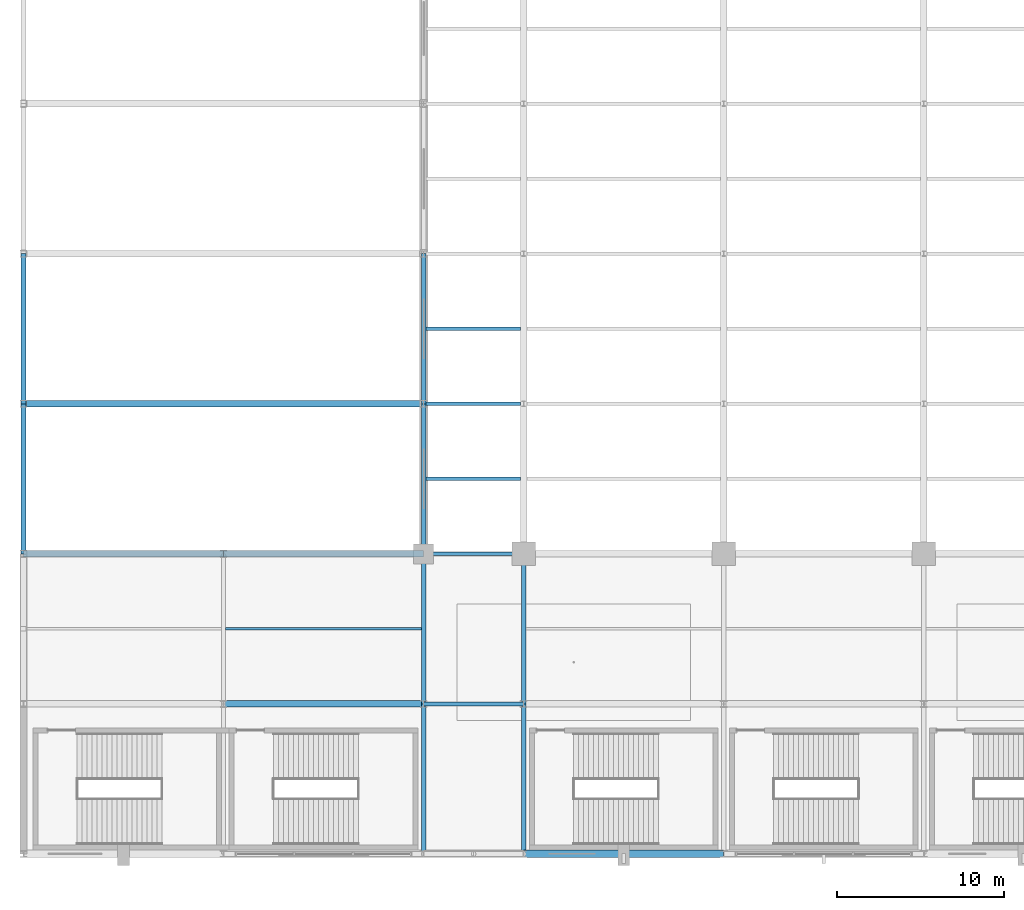
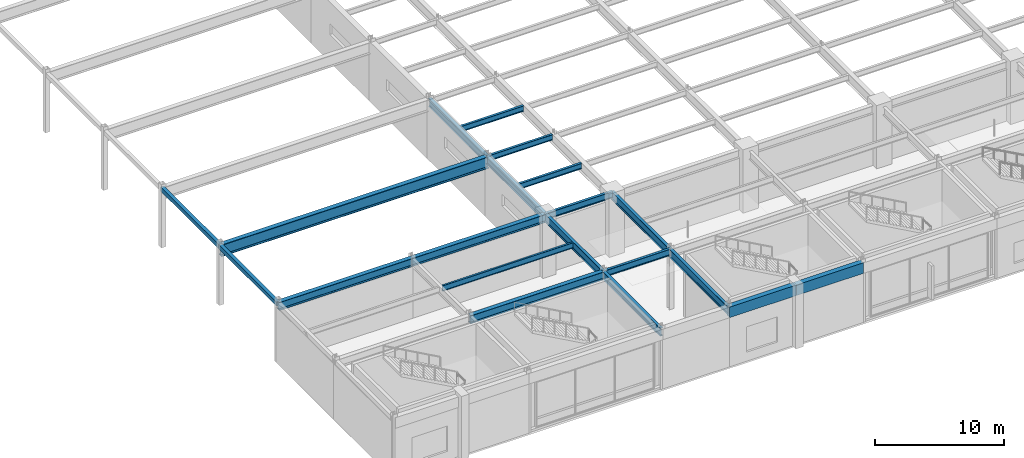
# One storey, part 17 of 105: 20 beams.
"""IFC4 building model written with IfcOpenShell, lengths in metres."""

from ifc_helpers import new_model, si_unit, direction, frame, origin, origin_2d, place, context, subcontext, project, spatial, rectangle, hollow_rectangle, i_section, extrude, material, material_profile, profile_set, type_object, element, save


model = new_model("IFC4")

# Units and contexts
model_context = context("Model", 3, precision=1e-05, world=origin(), true_north=direction((0.0, 1.0)))
body_context = subcontext(model_context, "Body", "Model", "MODEL_VIEW")
ifc_project = project(units=[si_unit("LENGTHUNIT", "METRE"), si_unit("AREAUNIT", "SQUARE_METRE"), si_unit("VOLUMEUNIT", "CUBIC_METRE"), si_unit("PLANEANGLEUNIT", "RADIAN"), si_unit("MASSUNIT", "GRAM", prefix="KILO")], contexts=[model_context])

# Site, building, storey
site_placement = place(None, origin())
site = spatial("IfcSite", under=ifc_project, at=site_placement, CompositionType="ELEMENT")
building_placement = place(site_placement, origin())
building = spatial("IfcBuilding", under=site, at=building_placement, Name="Kaldorvane Square Convention Centre", CompositionType="ELEMENT")
storey_placement = place(building_placement, frame((0.0, 0.0, 6.0)))
storey = spatial("IfcBuildingStorey", under=building, at=storey_placement, Name="L01", CompositionType="ELEMENT", Elevation=6.0)

# Beams
ifc_material_1 = material(Name="Steel ASTM A992 Gr. 50", Category="steel")
ifc_material_profile_1 = material_profile(ifc_material_1, i_section(OverallWidth=0.2303009033203125, OverallDepth=0.61749267578125, WebThickness=0.0131072998046875, FlangeThickness=0.0222015380859375, FilletRadius=0.0126953125, at=origin_2d()), Name="W24X94")
ifc_profile_set_1 = profile_set([ifc_material_profile_1], Name="Steel ASTM A992 Gr. 50")
beam_type_1 = type_object("IfcBeamType", Name="BM-GR-W24X94", PredefinedType="BEAM", material=ifc_profile_set_1)
for number, where, z_axis, x_axis, name in (
    (1, (24.0, 9.0, 5.3672943115234375), (1.0, 0.0, 0.0), (0.0, 1.0, 0.0), "Primary Girder (L01)"),
    (2, (24.0, 18.0, 5.3672943115234375), (1.0, 0.0, 0.0), (0.0, 1.0, 0.0), "Primary Girder (L01)"),
):
    element("IfcBeam", number, at=place(storey_placement, frame(where, z_axis=z_axis, x_axis=x_axis)), inside=storey, type_object=beam_type_1, Name=name, PredefinedType="BEAM", context=body_context, shape_type="SweptSolid", body=[
        extrude(i_section(OverallWidth=0.2303009033203125, OverallDepth=0.61749267578125, WebThickness=0.0131072998046875, FlangeThickness=0.0222015380859375, FilletRadius=0.0126953125, at=origin_2d()), origin(), (0.0, 0.0, 1.0), 6.0),
    ])
ifc_material_profile_2 = material_profile(ifc_material_1, i_section(OverallWidth=0.2666015625, OverallDepth=0.762298583984375, WebThickness=0.014404296875, FlangeThickness=0.0216064453125, FilletRadius=0.0164947509765625, at=origin_2d()), Name="W30X116")
ifc_profile_set_2 = profile_set([ifc_material_profile_2], Name="Steel ASTM A992 Gr. 50")
beam_type_2 = type_object("IfcBeamType", Name="BM-GR-W30X116", PredefinedType="BEAM", material=ifc_profile_set_2)
for number, where, z_axis, x_axis, name in (
    (3, (24.0, 0.0, 5.2949066162109375), (0.0, 1.0, 0.0), (-1.0, 0.0, 0.0), "Transverse Girder (L01)"),
    (4, (24.0, 9.0, 5.2949066162109375), (0.0, 1.0, 0.0), (-1.0, 0.0, 0.0), "Transverse Girder (L01)"),
    (5, (24.0, 18.0, 5.2949066162109375), (0.0, 1.0, 0.0), (-1.0, 0.0, 0.0), "Transverse Girder (L01)"),
    (6, (24.0, 27.0, 5.2949066162109375), (0.0, 1.0, 0.0), (-1.0, 0.0, 0.0), "Transverse Girder (L01)"),
    (7, (30.0, 0.0, 5.2949066162109375), (0.0, 1.0, 0.0), (-1.0, 0.0, 0.0), "Transverse Girder (L01)"),
    (8, (30.0, 9.0, 5.2949066162109375), (0.0, 1.0, 0.0), (-1.0, 0.0, 0.0), "Transverse Girder (L01)"),
):
    element("IfcBeam", number, at=place(storey_placement, frame(where, z_axis=z_axis, x_axis=x_axis)), inside=storey, type_object=beam_type_2, Name=name, PredefinedType="BEAM", context=body_context, shape_type="SweptSolid", body=[
        extrude(i_section(OverallWidth=0.2666015625, OverallDepth=0.762298583984375, WebThickness=0.014404296875, FlangeThickness=0.0216064453125, FilletRadius=0.0164947509765625, at=origin_2d()), origin(), (0.0, 0.0, 1.0), 9.0),
    ])
ifc_material_profile_3 = material_profile(ifc_material_1, i_section(OverallWidth=0.380706787109375, OverallDepth=0.773193359375, WebThickness=0.0166015625, FlangeThickness=0.027099609375, FilletRadius=0.0164947509765625, at=origin_2d()), Name="W30X173")
ifc_profile_set_3 = profile_set([ifc_material_profile_3], Name="Steel ASTM A992 Gr. 50")
beam_type_3 = type_object("IfcBeamType", Name="BM-GR-W30X173", PredefinedType="BEAM", material=ifc_profile_set_3)
for number, where, z_axis, x_axis, name in (
    (9, (12.0, 9.0, 5.289398193359375), (1.0, 0.0, 0.0), (0.0, 1.0, 0.0), "Primary Girder (L01)"),
    (10, (0.0, 18.0, 5.289398193359375), (1.0, 0.0, 0.0), (0.0, 1.0, 0.0), "Primary Girder (L01)"),
    (11, (12.0, 18.0, 5.289398193359375), (1.0, 0.0, 0.0), (0.0, 1.0, 0.0), "Primary Girder (L01)"),
):
    element("IfcBeam", number, at=place(storey_placement, frame(where, z_axis=z_axis, x_axis=x_axis)), inside=storey, type_object=beam_type_3, Name=name, PredefinedType="BEAM", context=body_context, shape_type="SweptSolid", body=[
        extrude(i_section(OverallWidth=0.380706787109375, OverallDepth=0.773193359375, WebThickness=0.0166015625, FlangeThickness=0.027099609375, FilletRadius=0.0164947509765625, at=origin_2d()), origin(), (0.0, 0.0, 1.0), 12.0),
    ])
ifc_material_profile_4 = material_profile(ifc_material_1, i_section(OverallWidth=0.404998779296875, OverallDepth=1.1179962158203125, WebThickness=0.0261993408203125, FlangeThickness=0.0449981689453125, FilletRadius=0.0254058837890625, at=origin_2d()), Name="W44X335")
ifc_profile_set_4 = profile_set([ifc_material_profile_4], Name="Steel ASTM A992 Gr. 50")
beam_type_4 = type_object("IfcBeamType", Name="BM-GR-W44X335", PredefinedType="BEAM", material=ifc_profile_set_4)
beam_1_placement = place(storey_placement, frame((0.0, 27.0, 5.11700439453125), z_axis=(1.0, 0.0, 0.0), x_axis=(0.0, 1.0, 0.0)))
element("IfcBeam", 12, at=beam_1_placement, inside=storey, type_object=beam_type_4, Name="Service Yard Long-Span Girder (L01)", PredefinedType="BEAM", context=body_context, shape_type="SweptSolid", body=[
    extrude(i_section(OverallWidth=0.404998779296875, OverallDepth=1.1179962158203125, WebThickness=0.0261993408203125, FlangeThickness=0.0449981689453125, FilletRadius=0.0254058837890625, at=origin_2d()), origin(), (0.0, 0.0, 1.0), 24.0),
])
ifc_material_profile_5 = material_profile(ifc_material_1, i_section(OverallWidth=0.1658935546875, OverallDepth=0.5290985107421875, WebThickness=0.00970458984375, FlangeThickness=0.0135955810546875, FilletRadius=0.0126953125, at=origin_2d()), Name="W21X50")
ifc_profile_set_5 = profile_set([ifc_material_profile_5], Name="Steel ASTM A992 Gr. 50")
beam_type_5 = type_object("IfcBeamType", Name="BM-JS-W21X50", PredefinedType="JOIST", material=ifc_profile_set_5)
beam_2_placement = place(storey_placement, frame((12.13330078125, 13.5, 5.4114990234375), z_axis=(1.0, 0.0, 0.0), x_axis=(0.0, 1.0, 0.0)))
element("IfcBeam", 13, at=beam_2_placement, inside=storey, type_object=beam_type_5, Name="Secondary Floor Joist (L01)", PredefinedType="JOIST", context=body_context, shape_type="SweptSolid", body=[
    extrude(i_section(OverallWidth=0.1658935546875, OverallDepth=0.5290985107421875, WebThickness=0.00970458984375, FlangeThickness=0.0135955810546875, FilletRadius=0.0126953125, at=origin_2d()), origin(), (0.0, 0.0, 1.0), 11.7333984375),
])
ifc_material_profile_6 = material_profile(ifc_material_1, i_section(OverallWidth=0.2100982666015625, OverallDepth=0.5366973876953125, WebThickness=0.010894775390625, FlangeThickness=0.01739501953125, FilletRadius=0.0126953125, at=origin_2d()), Name="W21X68")
ifc_profile_set_6 = profile_set([ifc_material_profile_6], Name="Steel ASTM A992 Gr. 50")
beam_type_6 = type_object("IfcBeamType", Name="BM-JS-W21X68", PredefinedType="JOIST", material=ifc_profile_set_6)
for number, where, z_axis, x_axis, name in (
    (14, (24.13330078125, 22.5, 5.4076995849609375), (1.0, 0.0, 0.0), (0.0, 1.0, 0.0), "Hall Composite Floor Joist (L01)"),
    (15, (24.13330078125, 27.0, 5.4076995849609375), (1.0, 0.0, 0.0), (0.0, 1.0, 0.0), "Hall Composite Floor Joist (L01)"),
    (16, (24.13330078125, 31.5, 5.4076995849609375), (1.0, 0.0, 0.0), (0.0, 1.0, 0.0), "Hall Composite Floor Joist (L01)"),
):
    element("IfcBeam", number, at=place(storey_placement, frame(where, z_axis=z_axis, x_axis=x_axis)), inside=storey, type_object=beam_type_6, Name=name, PredefinedType="JOIST", context=body_context, shape_type="SweptSolid", body=[
        extrude(i_section(OverallWidth=0.2100982666015625, OverallDepth=0.5366973876953125, WebThickness=0.010894775390625, FlangeThickness=0.01739501953125, FilletRadius=0.0126953125, at=origin_2d()), origin(), (0.0, 0.0, 1.0), 5.665802001953125),
    ])
ifc_material_2 = material(Name="Steel ASTM A500 Gr. C", Category="steel")
ifc_material_profile_7 = material_profile(ifc_material_2, hollow_rectangle(XDim=0.3047943115234375, YDim=0.406402587890625, WallThickness=0.0117950439453125, at=origin_2d()), Name="HSS16X12X1/2")
ifc_profile_set_7 = profile_set([ifc_material_profile_7], Name="Steel ASTM A500 Gr. C")
beam_type_7 = type_object("IfcBeamType", Name="BM-SP-HSS16", PredefinedType="SPANDREL", material=ifc_profile_set_7)
for number, where, z_axis, x_axis, name in (
    (17, (0.0, 18.0, 5.4727935791015625), (0.0, 1.0, 0.0), (-1.0, 0.0, 0.0), "End Spandrel (L01)"),
    (18, (0.0, 27.0, 5.4727935791015625), (0.0, 1.0, 0.0), (-1.0, 0.0, 0.0), "End Spandrel (L01)"),
):
    element("IfcBeam", number, at=place(storey_placement, frame(where, z_axis=z_axis, x_axis=x_axis)), inside=storey, type_object=beam_type_7, Name=name, PredefinedType="SPANDREL", context=body_context, shape_type="SweptSolid", body=[
        extrude(hollow_rectangle(XDim=0.3047943115234375, YDim=0.406402587890625, WallThickness=0.0117950439453125, at=origin_2d()), origin(), (0.0, 0.0, 1.0), 9.0),
    ])
ifc_material_3 = material(Name="Concrete f'c = 42 MPa (Normalweight)", Category="concrete")
ifc_material_profile_8 = material_profile(ifc_material_3, rectangle(XDim=0.4499969482421875, YDim=1.0, at=origin_2d()), Name="RCSP1000X450")
ifc_profile_set_8 = profile_set([ifc_material_profile_8], Name="Concrete f'c = 42 MPa (Normalweight)")
beam_type_8 = type_object("IfcBeamType", Name="BM-SP-RC1000", PredefinedType="SPANDREL", material=ifc_profile_set_8)
for number, where, z_axis, x_axis, name in (
    (19, (30.0, 0.0, 5.175994873046875), (1.0, 0.0, 0.0), (0.0, 1.0, 0.0), "Perimeter Spandrel (L01)"),
    (20, (36.0, 0.0, 5.175994873046875), (1.0, 0.0, 0.0), (0.0, 1.0, 0.0), "Perimeter Spandrel (L01)"),
):
    element("IfcBeam", number, at=place(storey_placement, frame(where, z_axis=z_axis, x_axis=x_axis)), inside=storey, type_object=beam_type_8, Name=name, PredefinedType="SPANDREL", context=body_context, shape_type="SweptSolid", body=[
        extrude(rectangle(XDim=0.4499969482421875, YDim=1.0, at=origin_2d()), origin(), (0.0, 0.0, 1.0), 6.0),
    ])

save(model, "model.ifc")
